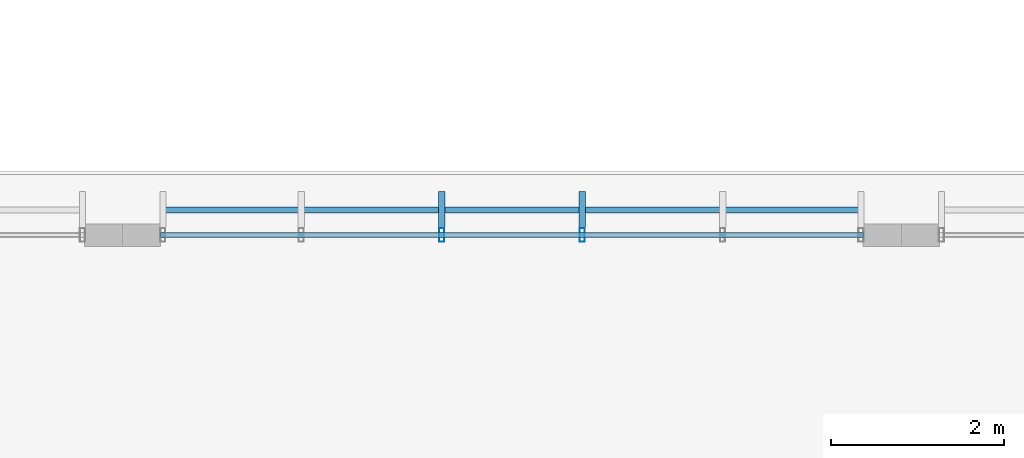
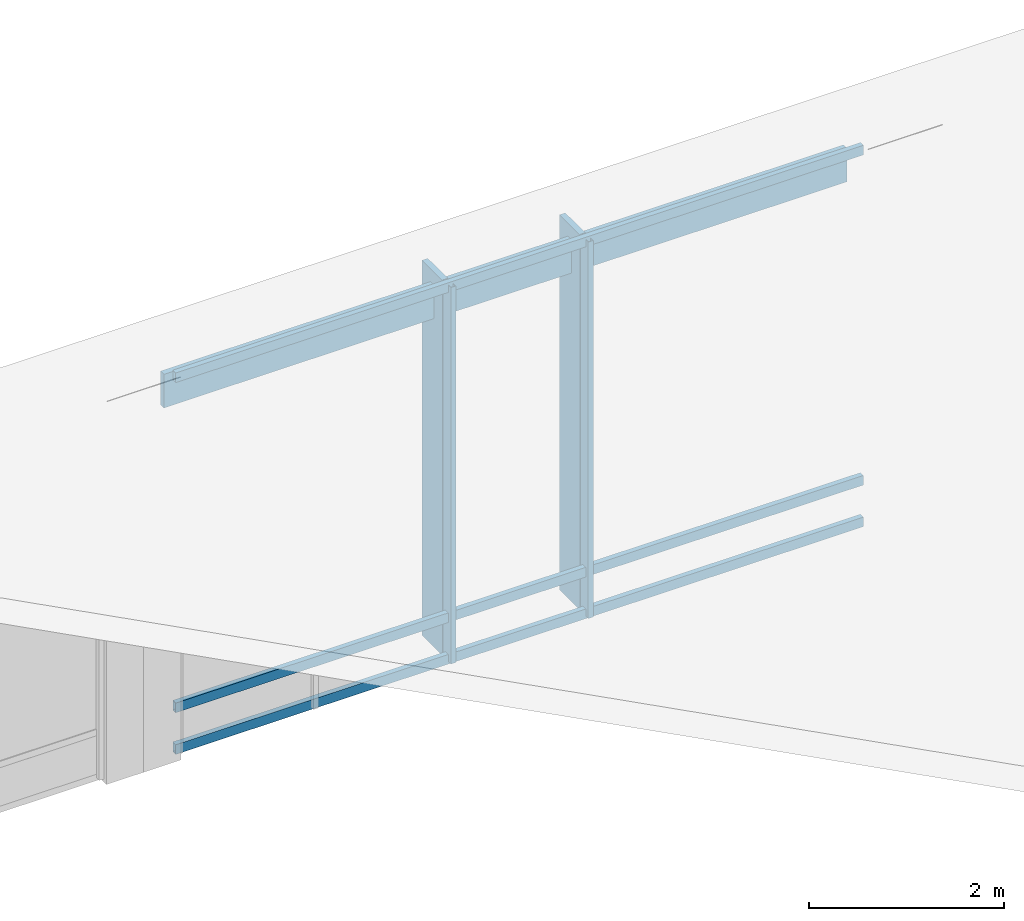
# One storey, part 44 of 182: 8 members, 1 element without a shape of its own.
"""IFC4 building model written with IfcOpenShell, lengths in metres."""

import ifcopenshell
import ifcopenshell.guid

model = None  # the IFC model being written
_history = None  # IfcOwnerHistory: only IFC2X3 demands one
_inside = {}  # id of a spatial element -> (the spatial element, [elements in it])
_under = {}  # id of a project, library or spatial element -> (it, [spatial elements below it])
_declared = {}  # id of a project -> (the project, [libraries it declares])
_typed = {}  # id of a type object -> (the type object, [elements of that type])
_made_of = {}  # id of a material, layer set ... -> (it, [elements and type objects made of it])


def new_model(schema):
    """Start an empty IFC model of exactly this schema.

    Asked for "IFC4X3", IfcOpenShell would pick the latest addendum, in which some entities
    have other attributes; the version numbers below select the first issue.
    IFC2X3 requires an IfcOwnerHistory on every rooted entity: one is made here for all.
    """
    global model, _history
    if schema == "IFC4X3":
        model = ifcopenshell.file(schema_version=(4, 3, 0, 0))
    else:
        model = ifcopenshell.file(schema=schema)
    _inside.clear()
    _under.clear()
    _declared.clear()
    _typed.clear()
    _made_of.clear()
    _history = None
    if model.schema == "IFC2X3":
        org = make("IfcOrganization", Name="unknown")
        user = make(
            "IfcPersonAndOrganization",
            ThePerson=make("IfcPerson", FamilyName="unknown"),
            TheOrganization=org,
        )
        app = make(
            "IfcApplication",
            ApplicationDeveloper=org,
            Version="unknown",
            ApplicationFullName="unknown",
            ApplicationIdentifier="unknown",
        )
        _history = make(
            "IfcOwnerHistory",
            OwningUser=user,
            OwningApplication=app,
            ChangeAction="ADDED",
            CreationDate=0,
        )
    return model


def make(cls, **values):
    """One entity of the class cls with the attributes given. An attribute that is None is left unset."""
    return model.create_entity(
        cls, **{name: value for name, value in values.items() if value is not None}
    )


def rooted(cls, **values):
    """An entity with a GlobalId (a new one), such as an element, a storey or a relation."""
    return make(cls, GlobalId=ifcopenshell.guid.new(), OwnerHistory=_history, **values)


def si_unit(unit_type, name, prefix=None):
    """IfcSIUnit, for example si_unit("LENGTHUNIT", "METRE", prefix="MILLI")."""
    return make("IfcSIUnit", UnitType=unit_type, Prefix=prefix, Name=name)


def assignment(units):
    """IfcUnitAssignment: the units of a project."""
    return None if units is None else make("IfcUnitAssignment", Units=units)


def point(xyz):
    """IfcCartesianPoint."""
    return None if xyz is None else make("IfcCartesianPoint", Coordinates=xyz)


def direction(xyz):
    """IfcDirection."""
    return None if xyz is None else make("IfcDirection", DirectionRatios=xyz)


def frame(location, z_axis=None, x_axis=None):
    """IfcAxis2Placement3D, a coordinate frame: its origin and axes. An axis left out is left unset."""
    return make(
        "IfcAxis2Placement3D",
        Location=point(location),
        Axis=direction(z_axis),
        RefDirection=direction(x_axis),
    )


def frame_2d(location, x_axis=None):
    """IfcAxis2Placement2D, a coordinate frame in the plane: its origin and x axis."""
    return make(
        "IfcAxis2Placement2D", Location=point(location), RefDirection=direction(x_axis)
    )


def origin():
    """The frame at (0, 0, 0) with its axes left unset."""
    return frame((0.0, 0.0, 0.0))


def origin_2d():
    """The frame at (0, 0) in the plane with its x axis left unset."""
    return frame_2d((0.0, 0.0))


def place(relative_to, where):
    """IfcLocalPlacement: puts the frame where relative to a parent placement (None: the world)."""
    return make(
        "IfcLocalPlacement", PlacementRelTo=relative_to, RelativePlacement=where
    )


def context(
    kind, dimensions, precision=None, world=None, true_north=None, identifier=None
):
    """IfcGeometricRepresentationContext, for example the 3D "Model" context."""
    return make(
        "IfcGeometricRepresentationContext",
        ContextIdentifier=identifier,
        ContextType=kind,
        CoordinateSpaceDimension=dimensions,
        Precision=precision,
        WorldCoordinateSystem=world,
        TrueNorth=true_north,
    )


def subcontext(parent, identifier, kind, view, scale=None):
    """IfcGeometricRepresentationSubContext, for example "Body" below "Model"."""
    return make(
        "IfcGeometricRepresentationSubContext",
        ContextIdentifier=identifier,
        ContextType=kind,
        ParentContext=parent,
        TargetScale=scale,
        TargetView=view,
    )


def project(units=None, contexts=None):
    """IfcProject with its units and contexts."""
    return rooted(
        "IfcProject",
        Name="project",
        RepresentationContexts=contexts,
        UnitsInContext=assignment(units),
    )


def spatial(cls, under=None, at=None, **own):
    """A site, building, storey or space (cls), placed at a placement, below another one or the project."""
    s = rooted(cls, ObjectPlacement=at, **own)
    if under is not None:
        _under.setdefault(under.id(), (under, []))[1].append(s)
    return s


def profile(cls, at=None, kind="AREA", **sizes):
    """A parametric profile (cls). Its sizes go by their IFC names, for example OverallWidth=200.0."""
    return make(cls, ProfileType=kind, Position=at, **sizes)


def rectangle(**sizes):
    """IfcRectangleProfileDef."""
    return profile("IfcRectangleProfileDef", **sizes)


def hollow_rectangle(**sizes):
    """IfcRectangleHollowProfileDef."""
    return profile("IfcRectangleHollowProfileDef", **sizes)


def extrude(swept, where, along, depth):
    """IfcExtrudedAreaSolid: the profile swept, set in the frame where, extruded along a direction by depth."""
    return make(
        "IfcExtrudedAreaSolid",
        SweptArea=swept,
        Position=where,
        ExtrudedDirection=direction(along),
        Depth=depth,
    )


def shape(context_of_items, identifier, shape_type, items):
    """IfcShapeRepresentation: the items that make up one representation, for example the "Body"."""
    return make(
        "IfcShapeRepresentation",
        ContextOfItems=context_of_items,
        RepresentationIdentifier=identifier,
        RepresentationType=shape_type,
        Items=items,
    )


def material(Name=None, Category=None):
    """IfcMaterial."""
    return make("IfcMaterial", Name=Name, Category=Category)


def material_profile(
    of_material, cross_section, Name=None, Category=None, Priority=None
):
    """IfcMaterialProfile: a cross section and its material."""
    return make(
        "IfcMaterialProfile",
        Name=Name,
        Material=of_material,
        Profile=cross_section,
        Priority=Priority,
        Category=Category,
    )


def profile_set(profiles, Name=None, composite=None):
    """IfcMaterialProfileSet."""
    return make(
        "IfcMaterialProfileSet",
        Name=Name,
        MaterialProfiles=profiles,
        CompositeProfile=composite,
    )


def made_of(thing, what):
    """Note that an element or type object is made of a material, layer set ...; save() writes the relation."""
    if what is not None:
        _made_of.setdefault(what.id(), (what, []))[1].append(thing)
    return thing


def type_object(cls, material=None, **own):
    """A type object (cls), such as IfcWallType, which elements share."""
    return made_of(rooted(cls, **own), material)


def element(
    cls,
    number,
    at=None,
    inside=None,
    cuts=None,
    type_object=None,
    material=None,
    context=None,
    identifier="Body",
    shape_type=None,
    held_by="IfcProductDefinitionShape",
    body=None,
    shapes=None,
    **own,
):
    """One element of the class cls, such as IfcWall. Its Tag is "e" and its number.

    at: its placement. inside: the storey or other place that contains it. cuts: it is an
    opening in that element (IfcRelVoidsElement). A single representation is given by context,
    identifier, shape_type and body (its items); several are given by shapes. held_by: the class
    of the entity that holds the representations. save() writes the other relations.
    """
    e = rooted(cls, Tag="e%d" % number, ObjectPlacement=at, **own)
    if body is not None:
        shapes = [shape(context, identifier, shape_type, body)]
    if shapes is not None:
        e.Representation = make(held_by, Representations=shapes)
    if inside is not None:
        _inside.setdefault(inside.id(), (inside, []))[1].append(e)
    if cuts is not None:
        rooted(
            "IfcRelVoidsElement", RelatingBuildingElement=cuts, RelatedOpeningElement=e
        )
    if type_object is not None:
        _typed.setdefault(type_object.id(), (type_object, []))[1].append(e)
    return made_of(e, material)


def aggregate(whole, parts):
    """IfcRelAggregates: a whole, such as a stair, and the parts it consists of."""
    return rooted("IfcRelAggregates", RelatingObject=whole, RelatedObjects=parts)


def save(model, path):
    """Write the relations noted so far, then the file.

    IfcRelAggregates (storeys below a building ...), IfcRelContainedInSpatialStructure (elements
    in a storey), IfcRelDefinesByType, IfcRelAssociatesMaterial and IfcRelDeclares: one each for
    every whole, place, type object, material and project.
    """
    for whole, parts in _under.values():
        aggregate(whole, parts)
    for where, things in _inside.values():
        rooted(
            "IfcRelContainedInSpatialStructure",
            RelatedElements=things,
            RelatingStructure=where,
        )
    for kind, things in _typed.values():
        rooted("IfcRelDefinesByType", RelatedObjects=things, RelatingType=kind)
    for what, things in _made_of.values():
        rooted("IfcRelAssociatesMaterial", RelatedObjects=things, RelatingMaterial=what)
    for by, libraries in _declared.values():
        rooted("IfcRelDeclares", RelatingContext=by, RelatedDefinitions=libraries)
    model.write(path)


model = new_model("IFC4")

# Units and contexts
model_context = context("Model", 3, precision=1e-05, world=origin(), true_north=direction((0.0, 1.0)))
body_context = subcontext(model_context, "Body", "Model", "MODEL_VIEW")
ifc_project = project(units=[si_unit("LENGTHUNIT", "METRE"), si_unit("AREAUNIT", "SQUARE_METRE"), si_unit("VOLUMEUNIT", "CUBIC_METRE"), si_unit("PLANEANGLEUNIT", "RADIAN"), si_unit("MASSUNIT", "GRAM", prefix="KILO")], contexts=[model_context])

# Site, building, storey
site_placement = place(None, origin())
site = spatial("IfcSite", under=ifc_project, at=site_placement, CompositionType="ELEMENT")
building_placement = place(site_placement, origin())
building = spatial("IfcBuilding", under=site, at=building_placement, Name="Chiffa Square Polytechnic", CompositionType="ELEMENT")
storey_placement = place(building_placement, frame((0.0, 0.0, 9.60009765625)))
storey = spatial("IfcBuildingStorey", under=building, at=storey_placement, Name="L02", CompositionType="ELEMENT", Elevation=9.60009765625)

# Curtain wall, members
ifc_material_1 = material(Name="Aluminium EN AW-6060 T66 and glulam shading", Category="wood")
curtain_wall_type = type_object("IfcCurtainWallType", Name="CW-VERT-300X380", PredefinedType="USERDEFINED", material=ifc_material_1)
curtain_wall_placement = place(storey_placement, origin())
curtain_wall = element("IfcCurtainWall", 1, at=curtain_wall_placement, inside=storey, type_object=curtain_wall_type, Name="Curtain wall CW-V4-CLRN-02", ObjectType="CURTAIN WALL", PredefinedType="USERDEFINED")
ifc_material_2 = material(Name="Aluminium EN AW-6060 T66", Category="aluminium")
ifc_material_profile_1 = material_profile(ifc_material_2, hollow_rectangle(XDim=0.06005859375, YDim=0.159912109375, WallThickness=0.00390625, at=origin_2d()), Name="ALU 60x160x4")
ifc_profile_set_1 = profile_set([ifc_material_profile_1], Name="Aluminium EN AW-6060 T66")
member_type_1 = type_object("IfcMemberType", Name="CWM-ALU-65X150", PredefinedType="MULLION", material=ifc_profile_set_1)
member_1_placement = place(storey_placement, frame((62.912109375, 43.800048828125, 0.039794921875), z_axis=(0.0, 0.0, 1.0), x_axis=(1.0, 0.0, 0.0)))
member_1 = element("IfcMember", 2, at=member_1_placement, type_object=member_type_1, Name="Curtain wall mullion CW-V4-CLRN-02-M02", PredefinedType="MULLION", context=body_context, shape_type="SweptSolid", body=[
    extrude(hollow_rectangle(XDim=0.06005859375, YDim=0.159912109375, WallThickness=0.00390625, at=origin_2d()), origin(), (0.0, 0.0, 1.0), 4.703125),
])
member_2_placement = place(storey_placement, frame((61.2880859375, 43.800048828125, 0.039794921875), z_axis=(0.0, 0.0, 1.0), x_axis=(1.0, 0.0, 0.0)))
member_2 = element("IfcMember", 3, at=member_2_placement, type_object=member_type_1, Name="Curtain wall mullion CW-V4-CLRN-02-M03", PredefinedType="MULLION", context=body_context, shape_type="SweptSolid", body=[
    extrude(hollow_rectangle(XDim=0.06005859375, YDim=0.159912109375, WallThickness=0.00390625, at=origin_2d()), origin(), (0.0, 0.0, 1.0), 4.703125),
])
ifc_material_3 = material(Name="Glulam GL28h", Category="wood")
ifc_material_profile_2 = material_profile(ifc_material_3, rectangle(XDim=0.070068359375, YDim=0.419921875, at=origin_2d()), Name="GL28h 70x420")
ifc_profile_set_2 = profile_set([ifc_material_profile_2], Name="Glulam GL28h")
member_type_2 = type_object("IfcMemberType", Name="CWM-GL-70X420", PredefinedType="MULLION", material=ifc_profile_set_2)
member_3_placement = place(storey_placement, frame((62.912109375, 44.092041015625, 0.0498046875), z_axis=(0.0, 0.0, 1.0), x_axis=(-1.0, 0.0, 0.0)))
member_3 = element("IfcMember", 4, at=member_3_placement, type_object=member_type_2, Name="Exterior glulam solar fin CW-V4-CLRN-02-FN02", PredefinedType="MULLION", context=body_context, shape_type="SweptSolid", body=[
    extrude(rectangle(XDim=0.070068359375, YDim=0.419921875, at=origin_2d()), origin(), (0.0, 0.0, 1.0), 4.68310546875),
])
member_4_placement = place(storey_placement, frame((61.2880859375, 44.092041015625, 0.0498046875), z_axis=(0.0, 0.0, 1.0), x_axis=(-1.0, 0.0, 0.0)))
member_4 = element("IfcMember", 5, at=member_4_placement, type_object=member_type_2, Name="Exterior glulam solar fin CW-V4-CLRN-02-FN03", PredefinedType="MULLION", context=body_context, shape_type="SweptSolid", body=[
    extrude(rectangle(XDim=0.070068359375, YDim=0.419921875, at=origin_2d()), origin(), (0.0, 0.0, 1.0), 4.68310546875),
])
ifc_material_profile_3 = material_profile(ifc_material_2, hollow_rectangle(XDim=0.06005859375, YDim=0.1201171875, WallThickness=0.00390625, at=origin_2d()), Name="ALU 60x120x4")
ifc_profile_set_3 = profile_set([ifc_material_profile_3], Name="Aluminium EN AW-6060 T66")
member_type_3 = type_object("IfcMemberType", Name="CWT-ALU-65X120", PredefinedType="USERDEFINED", material=ifc_profile_set_3)
member_5_placement = place(storey_placement, frame((66.162109375, 43.800048828125, 0.06982421875), z_axis=(-1.0, 0.0, 0.0), x_axis=(0.0, -1.0, 0.0)))
member_5 = element("IfcMember", 6, at=member_5_placement, type_object=member_type_3, Name="Curtain wall transom CW-V4-CLRN-02-T01", ObjectType="TRANSOM", PredefinedType="USERDEFINED", context=body_context, shape_type="SweptSolid", body=[
    extrude(hollow_rectangle(XDim=0.06005859375, YDim=0.1201171875, WallThickness=0.00390625, at=origin_2d()), origin(), (0.0, 0.0, 1.0), 8.1240234375),
])
member_6_placement = place(storey_placement, frame((66.162109375, 43.800048828125, 0.58984375), z_axis=(-1.0, 0.0, 0.0), x_axis=(0.0, -1.0, 0.0)))
member_6 = element("IfcMember", 7, at=member_6_placement, type_object=member_type_3, Name="Curtain wall transom CW-V4-CLRN-02-T02", ObjectType="TRANSOM", PredefinedType="USERDEFINED", context=body_context, shape_type="SweptSolid", body=[
    extrude(hollow_rectangle(XDim=0.06005859375, YDim=0.1201171875, WallThickness=0.00390625, at=origin_2d()), origin(), (0.0, 0.0, 1.0), 8.1240234375),
])
member_7_placement = place(storey_placement, frame((66.162109375, 43.800048828125, 4.712890625), z_axis=(-1.0, 0.0, 0.0), x_axis=(0.0, -1.0, 0.0)))
member_7 = element("IfcMember", 8, at=member_7_placement, type_object=member_type_3, Name="Curtain wall transom CW-V4-CLRN-02-T03", ObjectType="TRANSOM", PredefinedType="USERDEFINED", context=body_context, shape_type="SweptSolid", body=[
    extrude(hollow_rectangle(XDim=0.06005859375, YDim=0.1201171875, WallThickness=0.00390625, at=origin_2d()), origin(), (0.0, 0.0, 1.0), 8.1240234375),
])
ifc_material_profile_4 = material_profile(ifc_material_3, rectangle(XDim=0.070068359375, YDim=0.419921875, at=origin_2d()), Name="GL28h 70x420")
ifc_profile_set_4 = profile_set([ifc_material_profile_4], Name="Glulam GL28h")
member_type_4 = type_object("IfcMemberType", Name="CWT-GL-70X420", PredefinedType="USERDEFINED", material=ifc_profile_set_4)
member_8_placement = place(storey_placement, frame((66.135009765625, 44.092041015625, 4.36279296875), z_axis=(-1.0, 0.0, 0.0), x_axis=(0.0, -1.0, 0.0)))
member_8 = element("IfcMember", 9, at=member_8_placement, type_object=member_type_4, Name="Exterior glulam brise-soleil CW-V4-CLRN-02-BS01", ObjectType="TRANSOM", PredefinedType="USERDEFINED", context=body_context, shape_type="SweptSolid", body=[
    extrude(rectangle(XDim=0.070068359375, YDim=0.419921875, at=origin_2d()), origin(), (0.0, 0.0, 1.0), 8.070068359375),
])
aggregate(curtain_wall, [member_1, member_3, member_2, member_4, member_5, member_6, member_7, member_8])

save(model, "model.ifc")
